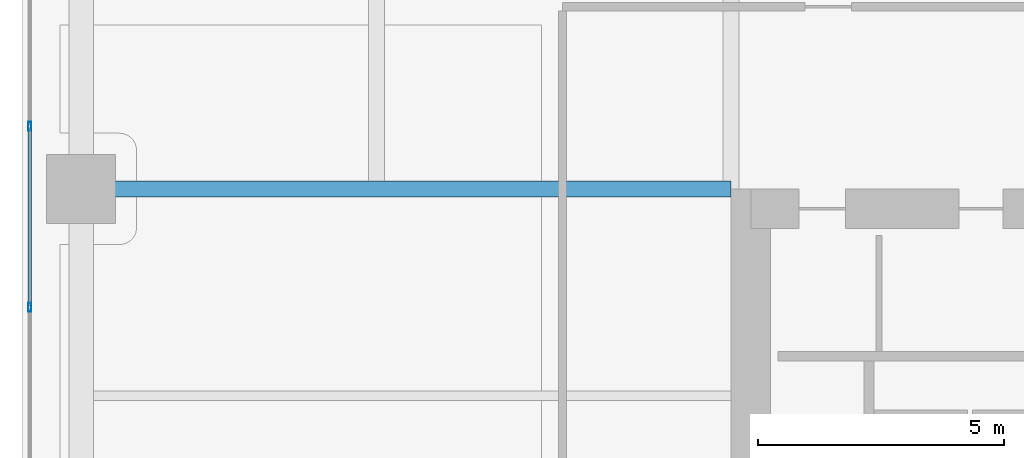
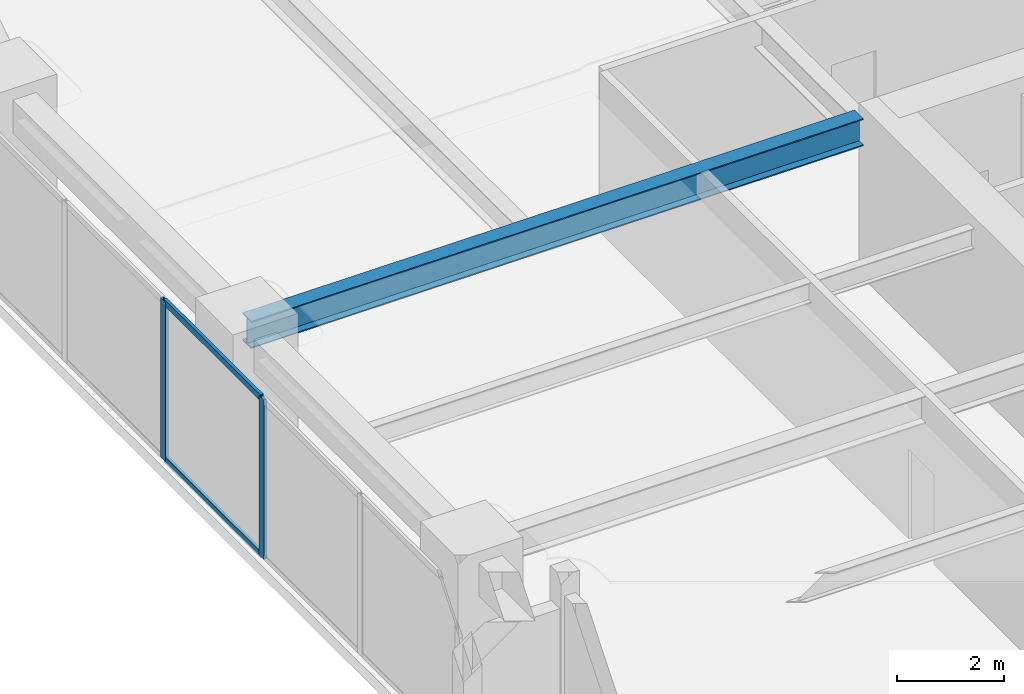
# One storey, part 8 of 24: 4 members, 1 beam, 1 element without a shape of its own.
"""IFC4 building model written with IfcOpenShell, lengths in metres."""

from ifc_helpers import new_model, si_unit, direction, frame, origin, origin_2d, place, context, subcontext, project, spatial, hollow_rectangle, i_section, extrude, material, layer, layer_set, material_profile, profile_set, type_object, element, aggregate, save


model = new_model("IFC4")

# Units and contexts
model_context = context("Model", 3, precision=1e-05, world=origin(), true_north=direction((0.0, 1.0)))
body_context = subcontext(model_context, "Body", "Model", "MODEL_VIEW")
ifc_project = project(units=[si_unit("LENGTHUNIT", "METRE"), si_unit("AREAUNIT", "SQUARE_METRE"), si_unit("VOLUMEUNIT", "CUBIC_METRE"), si_unit("PLANEANGLEUNIT", "RADIAN"), si_unit("MASSUNIT", "GRAM", prefix="KILO")], contexts=[model_context])

# Site, building, storey
site_placement = place(None, origin())
site = spatial("IfcSite", under=ifc_project, at=site_placement, CompositionType="ELEMENT")
building_placement = place(site_placement, origin())
building = spatial("IfcBuilding", under=site, at=building_placement, Name="Kiyonajd Concourse Tower", CompositionType="ELEMENT")
storey_placement = place(building_placement, frame((0.0, 0.0, 105.300048828125)))
storey = spatial("IfcBuildingStorey", under=building, at=storey_placement, Name="L27", CompositionType="ELEMENT", Elevation=105.300048828125)

# Beam
ifc_material_1 = material(Name="Steel ASTM A992 Grade 50", Category="steel")
ifc_material_profile_1 = material_profile(ifc_material_1, i_section(OverallWidth=0.326904296875, OverallDepth=0.6220703125, WebThickness=0.015380859375, FlangeThickness=0.0244140625, at=origin_2d()), Name="W610X195")
ifc_profile_set_1 = profile_set([ifc_material_profile_1], Name="Steel ASTM A992 Grade 50")
beam_type = type_object("IfcBeamType", Name="BM-TWR-610A", PredefinedType="BEAM", material=ifc_profile_set_1)
beam_placement = place(storey_placement, frame((19.199951171875, 44.39990234375, 3.328857421875), z_axis=(1.0, 0.0, 0.0), x_axis=(0.0, 1.0, 0.0)))
element("IfcBeam", 1, at=beam_placement, inside=storey, type_object=beam_type, Name="L27 West Lease Girder", PredefinedType="BEAM", context=body_context, shape_type="SweptSolid", body=[
    extrude(i_section(OverallWidth=0.326904296875, OverallDepth=0.6220703125, WebThickness=0.015380859375, FlangeThickness=0.0244140625, at=origin_2d()), origin(), (0.0, 0.0, 1.0), 13.199951171875),
])

# Curtain wall, members
ifc_material_2 = material(Name="Thermally Broken Anodised Aluminium", Category="aluminium")
ifc_layer = layer(ifc_material_2, 0.179931640625)
ifc_layer_set = layer_set([ifc_layer], Name="Thermally Broken Anodised Aluminium")
curtain_wall_type = type_object("IfcCurtainWallType", Name="CW-SYS-03", PredefinedType="NOTDEFINED", material=ifc_layer_set)
curtain_wall_placement = place(storey_placement, origin())
curtain_wall = element("IfcCurtainWall", 2, at=curtain_wall_placement, inside=storey, type_object=curtain_wall_type, Name="L27 Unitised Curtain Wall CW3", PredefinedType="NOTDEFINED")
ifc_material_profile_2 = material_profile(ifc_material_2, hollow_rectangle(XDim=0.06494140625, YDim=0.179931640625, WallThickness=0.00390625, at=origin_2d()), Name="MULL-65x180")
ifc_profile_set_2 = profile_set([ifc_material_profile_2], Name="Thermally Broken Anodised Aluminium")
member_type_1 = type_object("IfcMemberType", Name="MB-CW-MULL1", PredefinedType="MULLION", material=ifc_profile_set_2)
member_1_placement = place(storey_placement, frame((18.159912109375, 41.996337890625, 0.0), z_axis=(0.0, 0.0, 1.0), x_axis=(-1.0, 0.0, 0.0)))
member_1 = element("IfcMember", 3, at=member_1_placement, type_object=member_type_1, Name="CW3 mullion 3", PredefinedType="MULLION", context=body_context, shape_type="SweptSolid", body=[
    extrude(hollow_rectangle(XDim=0.06494140625, YDim=0.179931640625, WallThickness=0.00390625, at=origin_2d()), origin(), (0.0, 0.0, 1.0), 3.639892578125),
])
member_2_placement = place(storey_placement, frame((18.159912109375, 45.66943359375, 0.0), z_axis=(0.0, 0.0, 1.0), x_axis=(-1.0, 0.0, 0.0)))
member_2 = element("IfcMember", 4, at=member_2_placement, type_object=member_type_1, Name="CW3 mullion 4", PredefinedType="MULLION", context=body_context, shape_type="SweptSolid", body=[
    extrude(hollow_rectangle(XDim=0.06494140625, YDim=0.179931640625, WallThickness=0.00390625, at=origin_2d()), origin(), (0.0, 0.0, 1.0), 3.639892578125),
])
ifc_material_profile_3 = material_profile(ifc_material_2, hollow_rectangle(XDim=0.06494140625, YDim=0.139892578125, WallThickness=0.00390625, at=origin_2d()), Name="TRAN-65x140")
ifc_profile_set_3 = profile_set([ifc_material_profile_3], Name="Thermally Broken Anodised Aluminium")
member_type_2 = type_object("IfcMemberType", Name="MB-CW-TRAN1", PredefinedType="USERDEFINED", material=ifc_profile_set_3)
member_3_placement = place(storey_placement, frame((18.159912109375, 42.02880859375, 0.032470703125), z_axis=(0.0, 1.0, 0.0), x_axis=(-1.0, 0.0, 0.0)))
member_3 = element("IfcMember", 5, at=member_3_placement, type_object=member_type_2, Name="CW3 transom 3.1", ObjectType="TRANSOM", PredefinedType="USERDEFINED", context=body_context, shape_type="SweptSolid", body=[
    extrude(hollow_rectangle(XDim=0.06494140625, YDim=0.139892578125, WallThickness=0.00390625, at=origin_2d()), origin(), (0.0, 0.0, 1.0), 3.608154296875),
])
member_4_placement = place(storey_placement, frame((18.159912109375, 42.02880859375, 3.607421875), z_axis=(0.0, 1.0, 0.0), x_axis=(-1.0, 0.0, 0.0)))
member_4 = element("IfcMember", 6, at=member_4_placement, type_object=member_type_2, Name="CW3 transom 3.2", ObjectType="TRANSOM", PredefinedType="USERDEFINED", context=body_context, shape_type="SweptSolid", body=[
    extrude(hollow_rectangle(XDim=0.06494140625, YDim=0.139892578125, WallThickness=0.00390625, at=origin_2d()), origin(), (0.0, 0.0, 1.0), 3.608154296875),
])
aggregate(curtain_wall, [member_1, member_2, member_3, member_4])

save(model, "model.ifc")
